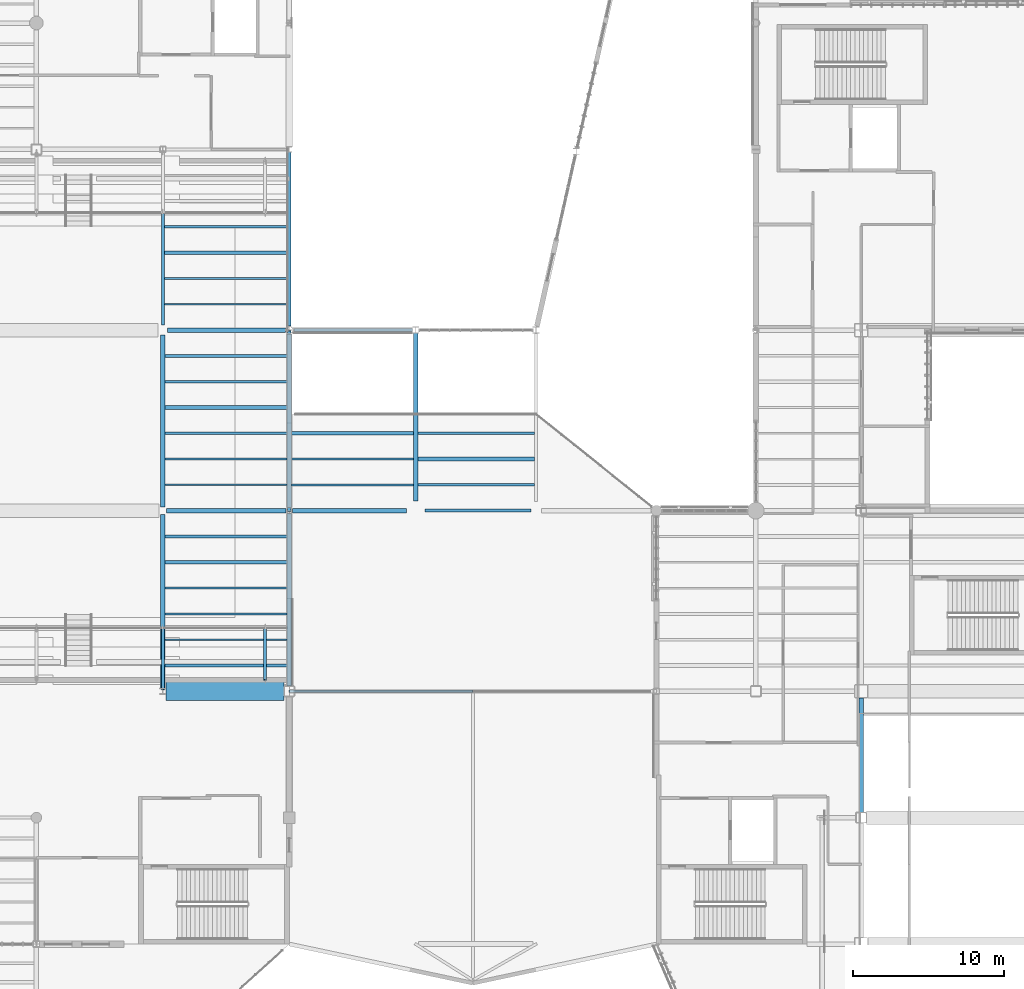
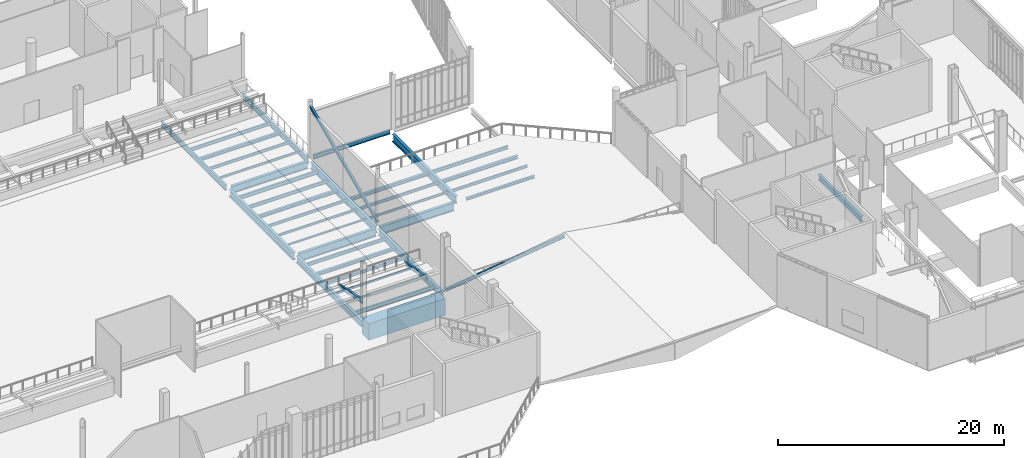
# One storey, part 21 of 135: 36 beams, 4 members.
"""IFC4 building model written with IfcOpenShell, lengths in metres."""

from ifc_helpers import new_model, si_unit, direction, frame, origin, origin_2d, place, context, subcontext, project, spatial, rectangle, hollow_rectangle, i_section, extrude, material, material_profile, profile_set, type_object, element, save


model = new_model("IFC4")

# Units and contexts
model_context = context("Model", 3, precision=1e-05, world=origin(), true_north=direction((0.0, 1.0)))
body_context = subcontext(model_context, "Body", "Model", "MODEL_VIEW")
ifc_project = project(units=[si_unit("LENGTHUNIT", "METRE"), si_unit("AREAUNIT", "SQUARE_METRE"), si_unit("VOLUMEUNIT", "CUBIC_METRE"), si_unit("PLANEANGLEUNIT", "RADIAN"), si_unit("MASSUNIT", "GRAM", prefix="KILO")], contexts=[model_context])

# Site, building, storey
site_placement = place(None, origin())
site = spatial("IfcSite", under=ifc_project, at=site_placement, CompositionType="ELEMENT")
building_placement = place(site_placement, origin())
building = spatial("IfcBuilding", under=site, at=building_placement, Name="Larkvane Passage Sports Hall", CompositionType="ELEMENT")
storey_placement = place(building_placement, frame((0.0, 0.0, 10.800048828125)))
storey = spatial("IfcBuildingStorey", under=building, at=storey_placement, Name="L02", CompositionType="ELEMENT", Elevation=10.800048828125)

# Beams
ifc_material_1 = material(Name="Steel S355JR", Category="steel")
ifc_material_profile_1 = material_profile(ifc_material_1, i_section(OverallWidth=0.199951171875, OverallDepth=0.2939453125, WebThickness=0.008056640625, FlangeThickness=0.011962890625, FilletRadius=0.012939453125, at=origin_2d()), Name="H-294x200x8x12")
ifc_profile_set_1 = profile_set([ifc_material_profile_1], Name="Steel S355JR")
beam_type_1 = type_object("IfcBeamType", Name="BM-STL-H294", PredefinedType="BEAM", material=ifc_profile_set_1)
beam_1_placement = place(storey_placement, frame((102.625, 51.60009765625, -0.567138671875), z_axis=(1.0, 0.0, 0.0), x_axis=(0.0, 1.0, 0.0)))
element("IfcBeam", 1, at=beam_1_placement, inside=storey, type_object=beam_type_1, Name="Girder BM5-X-L02-G-0703", PredefinedType="BEAM", context=body_context, shape_type="SweptSolid", body=[
    extrude(i_section(OverallWidth=0.199951171875, OverallDepth=0.2939453125, WebThickness=0.008056640625, FlangeThickness=0.011962890625, FilletRadius=0.012939453125, at=origin_2d()), origin(), (0.0, 0.0, 1.0), 7.02490234375),
])
ifc_material_2 = material(Name="Steel S460N", Category="steel")
ifc_material_profile_2 = material_profile(ifc_material_2, i_section(OverallWidth=0.300048828125, OverallDepth=0.587890625, WebThickness=0.011962890625, FlangeThickness=0.02001953125, FilletRadius=0.02197265625, at=origin_2d()), Name="H-588x300x12x20")
ifc_profile_set_2 = profile_set([ifc_material_profile_2], Name="Steel S460N")
beam_type_2 = type_object("IfcBeamType", Name="BM-STL-H588", PredefinedType="BEAM", material=ifc_profile_set_2)
beam_2_placement = place(storey_placement, frame((131.60009765625, 31.550048828125, -0.714111328125), z_axis=(0.0, 1.0, 0.0), x_axis=(-1.0, 0.0, 0.0)))
element("IfcBeam", 2, at=beam_2_placement, inside=storey, type_object=beam_type_2, Name="Girder BM5-Y-L02-18-0786", PredefinedType="BEAM", context=body_context, shape_type="SweptSolid", body=[
    extrude(i_section(OverallWidth=0.300048828125, OverallDepth=0.587890625, WebThickness=0.011962890625, FlangeThickness=0.02001953125, FilletRadius=0.02197265625, at=origin_2d()), origin(), (0.0, 0.0, 1.0), 7.599853515625),
])
ifc_material_profile_3 = material_profile(ifc_material_1, i_section(OverallWidth=0.199951171875, OverallDepth=0.60009765625, WebThickness=0.010986328125, FlangeThickness=0.01708984375, FilletRadius=0.01806640625, at=origin_2d()), Name="H-600x200x11x17")
ifc_profile_set_3 = profile_set([ifc_material_profile_3], Name="Steel S355JR")
beam_type_3 = type_object("IfcBeamType", Name="BM-STL-H600", PredefinedType="BEAM", material=ifc_profile_set_3)
beam_3_placement = place(storey_placement, frame((85.199951171875, 63.925048828125, -0.719970703125), z_axis=(0.0, 1.0, 0.0), x_axis=(-1.0, 0.0, 0.0)))
element("IfcBeam", 3, at=beam_3_placement, inside=storey, type_object=beam_type_3, Name="Girder BM5-Y-L02-12-0769", PredefinedType="BEAM", context=body_context, shape_type="SweptSolid", body=[
    extrude(i_section(OverallWidth=0.199951171875, OverallDepth=0.60009765625, WebThickness=0.010986328125, FlangeThickness=0.01708984375, FilletRadius=0.01806640625, at=origin_2d()), origin(), (0.0, 0.0, 1.0), 11.474853515625),
])
beam_4_placement = place(storey_placement, frame((93.60009765625, 63.85400390625, -0.719970703125), z_axis=(0.0, 1.0, 0.0), x_axis=(-1.0, 0.0, 0.0)))
element("IfcBeam", 4, at=beam_4_placement, inside=storey, type_object=beam_type_3, Name="Girder BM5-Y-L02-13-0773", PredefinedType="BEAM", context=body_context, shape_type="SweptSolid", body=[
    extrude(i_section(OverallWidth=0.199951171875, OverallDepth=0.60009765625, WebThickness=0.010986328125, FlangeThickness=0.01708984375, FilletRadius=0.01806640625, at=origin_2d()), origin(), (0.0, 0.0, 1.0), 11.571044921875),
])
ifc_material_profile_4 = material_profile(ifc_material_2, i_section(OverallWidth=0.300048828125, OverallDepth=0.699951171875, WebThickness=0.012939453125, FlangeThickness=0.02392578125, FilletRadius=0.02197265625, at=origin_2d()), Name="H-700x300x13x24")
ifc_profile_set_4 = profile_set([ifc_material_profile_4], Name="Steel S460N")
beam_type_4 = type_object("IfcBeamType", Name="BM-STL-H700", PredefinedType="BEAM", material=ifc_profile_set_4)
beam_5_placement = place(storey_placement, frame((85.199951171875, 39.806884765625, -0.77001953125), z_axis=(0.0, 1.0, 0.0), x_axis=(-1.0, 0.0, 0.0)))
element("IfcBeam", 5, at=beam_5_placement, inside=storey, type_object=beam_type_4, Name="Girder BM5-Y-L02-12-0767", PredefinedType="BEAM", context=body_context, shape_type="SweptSolid", body=[
    extrude(i_section(OverallWidth=0.300048828125, OverallDepth=0.699951171875, WebThickness=0.012939453125, FlangeThickness=0.02392578125, FilletRadius=0.02197265625, at=origin_2d()), origin(), (0.0, 0.0, 1.0), 11.543212890625),
])
beam_6_placement = place(storey_placement, frame((93.60009765625, 39.949951171875, -0.77001953125), z_axis=(0.0, 1.0, 0.0), x_axis=(-1.0, 0.0, 0.0)))
element("IfcBeam", 6, at=beam_6_placement, inside=storey, type_object=beam_type_4, Name="Girder BM5-Y-L02-13-0771", PredefinedType="BEAM", context=body_context, shape_type="SweptSolid", body=[
    extrude(i_section(OverallWidth=0.300048828125, OverallDepth=0.699951171875, WebThickness=0.012939453125, FlangeThickness=0.02392578125, FilletRadius=0.02197265625, at=origin_2d()), origin(), (0.0, 0.0, 1.0), 11.44677734375),
])
ifc_material_profile_5 = material_profile(ifc_material_2, i_section(OverallWidth=0.300048828125, OverallDepth=0.7919921875, WebThickness=0.013916015625, FlangeThickness=0.02197265625, FilletRadius=0.02197265625, at=origin_2d()), Name="H-792x300x14x22")
ifc_profile_set_5 = profile_set([ifc_material_profile_5], Name="Steel S460N")
beam_type_5 = type_object("IfcBeamType", Name="BM-STL-H792", PredefinedType="BEAM", material=ifc_profile_set_5)
beam_7_placement = place(storey_placement, frame((85.199951171875, 51.85009765625, -0.816162109375), z_axis=(0.0, 1.0, 0.0), x_axis=(-1.0, 0.0, 0.0)))
element("IfcBeam", 7, at=beam_7_placement, inside=storey, type_object=beam_type_5, Name="Girder BM5-Y-L02-12-0768", PredefinedType="BEAM", context=body_context, shape_type="SweptSolid", body=[
    extrude(i_section(OverallWidth=0.300048828125, OverallDepth=0.7919921875, WebThickness=0.013916015625, FlangeThickness=0.02197265625, FilletRadius=0.02197265625, at=origin_2d()), origin(), (0.0, 0.0, 1.0), 11.4248046875),
])
beam_8_placement = place(storey_placement, frame((93.60009765625, 51.80322265625, -0.816162109375), z_axis=(0.0, 1.0, 0.0), x_axis=(-1.0, 0.0, 0.0)))
element("IfcBeam", 8, at=beam_8_placement, inside=storey, type_object=beam_type_5, Name="Girder BM5-Y-L02-13-0772", PredefinedType="BEAM", context=body_context, shape_type="SweptSolid", body=[
    extrude(i_section(OverallWidth=0.300048828125, OverallDepth=0.7919921875, WebThickness=0.013916015625, FlangeThickness=0.02197265625, FilletRadius=0.02197265625, at=origin_2d()), origin(), (0.0, 0.0, 1.0), 11.542724609375),
])
beam_9_placement = place(storey_placement, frame((102.0, 52.22509765625, -0.816162109375), z_axis=(0.0, 1.0, 0.0), x_axis=(-1.0, 0.0, 0.0)))
element("IfcBeam", 9, at=beam_9_placement, inside=storey, type_object=beam_type_5, Name="Girder BM5-Y-L02-14-0776", PredefinedType="BEAM", context=body_context, shape_type="SweptSolid", body=[
    extrude(i_section(OverallWidth=0.300048828125, OverallDepth=0.7919921875, WebThickness=0.013916015625, FlangeThickness=0.02197265625, FilletRadius=0.02197265625, at=origin_2d()), origin(), (0.0, 0.0, 1.0), 11.16796875),
])
ifc_material_profile_6 = material_profile(ifc_material_2, i_section(OverallWidth=0.300048828125, OverallDepth=0.800048828125, WebThickness=0.013916015625, FlangeThickness=0.02587890625, FilletRadius=0.02197265625, at=origin_2d()), Name="H-800x300x14x26")
ifc_profile_set_6 = profile_set([ifc_material_profile_6], Name="Steel S460N")
beam_type_6 = type_object("IfcBeamType", Name="BM-STL-H800", PredefinedType="BEAM", material=ifc_profile_set_6)
beam_10_placement = place(storey_placement, frame((85.52490234375, 63.60009765625, -0.820068359375), z_axis=(1.0, 0.0, 0.0), x_axis=(0.0, 1.0, 0.0)))
element("IfcBeam", 10, at=beam_10_placement, inside=storey, type_object=beam_type_6, Name="Girder BM5-X-L02-H-0713", PredefinedType="BEAM", context=body_context, shape_type="SweptSolid", body=[
    extrude(i_section(OverallWidth=0.300048828125, OverallDepth=0.800048828125, WebThickness=0.013916015625, FlangeThickness=0.02587890625, FilletRadius=0.02197265625, at=origin_2d()), origin(), (0.0, 0.0, 1.0), 7.821044921875),
])
ifc_material_profile_7 = material_profile(ifc_material_2, i_section(OverallWidth=0.299072265625, OverallDepth=0.889892578125, WebThickness=0.014892578125, FlangeThickness=0.02294921875, FilletRadius=0.02197265625, at=origin_2d()), Name="H-890x299x15x23")
ifc_profile_set_7 = profile_set([ifc_material_profile_7], Name="Steel S460N")
beam_type_7 = type_object("IfcBeamType", Name="BM-STL-H890", PredefinedType="BEAM", material=ifc_profile_set_7)
beam_11_placement = place(storey_placement, frame((85.449951171875, 51.60009765625, -0.864990234375), z_axis=(1.0, 0.0, 0.0), x_axis=(0.0, 1.0, 0.0)))
element("IfcBeam", 11, at=beam_11_placement, inside=storey, type_object=beam_type_7, Name="Girder BM5-X-L02-G-0701", PredefinedType="BEAM", context=body_context, shape_type="SweptSolid", body=[
    extrude(i_section(OverallWidth=0.299072265625, OverallDepth=0.889892578125, WebThickness=0.014892578125, FlangeThickness=0.02294921875, FilletRadius=0.02197265625, at=origin_2d()), origin(), (0.0, 0.0, 1.0), 7.94677734375),
])
ifc_material_profile_8 = material_profile(ifc_material_2, i_section(OverallWidth=0.300048828125, OverallDepth=0.89990234375, WebThickness=0.01611328125, FlangeThickness=0.028076171875, FilletRadius=0.02197265625, at=origin_2d()), Name="H-900x300x16x28")
ifc_profile_set_8 = profile_set([ifc_material_profile_8], Name="Steel S460N")
beam_type_8 = type_object("IfcBeamType", Name="BM-STL-H900", PredefinedType="BEAM", material=ifc_profile_set_8)
beam_12_placement = place(storey_placement, frame((93.80322265625, 51.60009765625, -0.8701171875), z_axis=(1.0, 0.0, 0.0), x_axis=(0.0, 1.0, 0.0)))
element("IfcBeam", 12, at=beam_12_placement, inside=storey, type_object=beam_type_8, Name="Girder BM5-X-L02-G-0702", PredefinedType="BEAM", context=body_context, shape_type="SweptSolid", body=[
    extrude(i_section(OverallWidth=0.300048828125, OverallDepth=0.89990234375, WebThickness=0.01611328125, FlangeThickness=0.028076171875, FilletRadius=0.02197265625, at=origin_2d()), origin(), (0.0, 0.0, 1.0), 7.57177734375),
])
ifc_material_profile_9 = material_profile(ifc_material_1, i_section(OverallWidth=0.10009765625, OverallDepth=0.199951171875, WebThickness=0.005615234375, FlangeThickness=0.008056640625, FilletRadius=0.008056640625, at=origin_2d()), Name="H-200x100x5.5x8")
ifc_profile_set_9 = profile_set([ifc_material_profile_9], Name="Steel S355JR")
beam_type_9 = type_object("IfcBeamType", Name="JST-STL-H200", PredefinedType="JOIST", material=ifc_profile_set_9)
for number, where, z_axis, x_axis, name in (
    (13, (85.35009765625, 43.028564453125, -0.52001953125), (1.0, 0.0, 0.0), (0.0, 1.0, 0.0), "Composite joist L02 12/F-2"),
    (14, (85.35009765625, 53.314208984375, -0.52001953125), (1.0, 0.0, 0.0), (0.0, 1.0, 0.0), "Composite joist L02 12/G-1"),
):
    element("IfcBeam", number, at=place(storey_placement, frame(where, z_axis=z_axis, x_axis=x_axis)), inside=storey, type_object=beam_type_9, Name=name, PredefinedType="JOIST", context=body_context, shape_type="SweptSolid", body=[
        extrude(i_section(OverallWidth=0.10009765625, OverallDepth=0.199951171875, WebThickness=0.005615234375, FlangeThickness=0.008056640625, FilletRadius=0.008056640625, at=origin_2d()), origin(), (0.0, 0.0, 1.0), 8.099853515625),
    ])
ifc_material_profile_10 = material_profile(ifc_material_1, i_section(OverallWidth=0.125, OverallDepth=0.25, WebThickness=0.006103515625, FlangeThickness=0.009033203125, FilletRadius=0.008056640625, at=origin_2d()), Name="H-250x125x6x9")
ifc_profile_set_10 = profile_set([ifc_material_profile_10], Name="Steel S355JR")
beam_type_10 = type_object("IfcBeamType", Name="JST-STL-H250", PredefinedType="JOIST", material=ifc_profile_set_10)
for number, where, z_axis, x_axis, name in (
    (15, (85.35009765625, 44.742919921875, -0.545166015625), (1.0, 0.0, 0.0), (0.0, 1.0, 0.0), "Composite joist L02 12/F-3"),
    (16, (85.35009765625, 55.028564453125, -0.545166015625), (1.0, 0.0, 0.0), (0.0, 1.0, 0.0), "Composite joist L02 12/G-2"),
):
    element("IfcBeam", number, at=place(storey_placement, frame(where, z_axis=z_axis, x_axis=x_axis)), inside=storey, type_object=beam_type_10, Name=name, PredefinedType="JOIST", context=body_context, shape_type="SweptSolid", body=[
        extrude(i_section(OverallWidth=0.125, OverallDepth=0.25, WebThickness=0.006103515625, FlangeThickness=0.009033203125, FilletRadius=0.008056640625, at=origin_2d()), origin(), (0.0, 0.0, 1.0), 8.099853515625),
    ])
beam_13_placement = place(storey_placement, frame((85.300048828125, 65.314208984375, -0.545166015625), z_axis=(1.0, 0.0, 0.0), x_axis=(0.0, 1.0, 0.0)))
element("IfcBeam", 17, at=beam_13_placement, inside=storey, type_object=beam_type_10, Name="Composite joist L02 12/H-1", PredefinedType="JOIST", context=body_context, shape_type="SweptSolid", body=[
    extrude(i_section(OverallWidth=0.125, OverallDepth=0.25, WebThickness=0.006103515625, FlangeThickness=0.009033203125, FilletRadius=0.008056640625, at=origin_2d()), origin(), (0.0, 0.0, 1.0), 8.199951171875),
])
beam_14_placement = place(storey_placement, frame((93.75, 53.314208984375, -0.545166015625), z_axis=(1.0, 0.0, 0.0), x_axis=(0.0, 1.0, 0.0)))
element("IfcBeam", 18, at=beam_14_placement, inside=storey, type_object=beam_type_10, Name="Composite joist L02 13/G-1", PredefinedType="JOIST", context=body_context, shape_type="SweptSolid", body=[
    extrude(i_section(OverallWidth=0.125, OverallDepth=0.25, WebThickness=0.006103515625, FlangeThickness=0.009033203125, FilletRadius=0.008056640625, at=origin_2d()), origin(), (0.0, 0.0, 1.0), 8.10009765625),
])
ifc_material_profile_11 = material_profile(ifc_material_1, i_section(OverallWidth=0.14990234375, OverallDepth=0.300048828125, WebThickness=0.006591796875, FlangeThickness=0.009033203125, FilletRadius=0.012939453125, at=origin_2d()), Name="H-300x150x6.5x9")
ifc_profile_set_11 = profile_set([ifc_material_profile_11], Name="Steel S355JR")
beam_type_11 = type_object("IfcBeamType", Name="JST-STL-H300", PredefinedType="JOIST", material=ifc_profile_set_11)
for number, where, z_axis, x_axis, name in (
    (19, (85.35009765625, 46.45703125, -0.570068359375), (1.0, 0.0, 0.0), (0.0, 1.0, 0.0), "Composite joist L02 12/F-4"),
    (20, (85.35009765625, 56.742919921875, -0.570068359375), (1.0, 0.0, 0.0), (0.0, 1.0, 0.0), "Composite joist L02 12/G-3"),
):
    element("IfcBeam", number, at=place(storey_placement, frame(where, z_axis=z_axis, x_axis=x_axis)), inside=storey, type_object=beam_type_11, Name=name, PredefinedType="JOIST", context=body_context, shape_type="SweptSolid", body=[
        extrude(i_section(OverallWidth=0.14990234375, OverallDepth=0.300048828125, WebThickness=0.006591796875, FlangeThickness=0.009033203125, FilletRadius=0.012939453125, at=origin_2d()), origin(), (0.0, 0.0, 1.0), 8.099853515625),
    ])
beam_15_placement = place(storey_placement, frame((85.300048828125, 67.028564453125, -0.570068359375), z_axis=(1.0, 0.0, 0.0), x_axis=(0.0, 1.0, 0.0)))
element("IfcBeam", 21, at=beam_15_placement, inside=storey, type_object=beam_type_11, Name="Composite joist L02 12/H-2", PredefinedType="JOIST", context=body_context, shape_type="SweptSolid", body=[
    extrude(i_section(OverallWidth=0.14990234375, OverallDepth=0.300048828125, WebThickness=0.006591796875, FlangeThickness=0.009033203125, FilletRadius=0.012939453125, at=origin_2d()), origin(), (0.0, 0.0, 1.0), 8.199951171875),
])
beam_16_placement = place(storey_placement, frame((93.75, 55.028564453125, -0.570068359375), z_axis=(1.0, 0.0, 0.0), x_axis=(0.0, 1.0, 0.0)))
element("IfcBeam", 22, at=beam_16_placement, inside=storey, type_object=beam_type_11, Name="Composite joist L02 13/G-2", PredefinedType="JOIST", context=body_context, shape_type="SweptSolid", body=[
    extrude(i_section(OverallWidth=0.14990234375, OverallDepth=0.300048828125, WebThickness=0.006591796875, FlangeThickness=0.009033203125, FilletRadius=0.012939453125, at=origin_2d()), origin(), (0.0, 0.0, 1.0), 8.10009765625),
])
beam_17_placement = place(storey_placement, frame((102.14990234375, 53.314208984375, -0.570068359375), z_axis=(1.0, 0.0, 0.0), x_axis=(0.0, 1.0, 0.0)))
element("IfcBeam", 23, at=beam_17_placement, inside=storey, type_object=beam_type_11, Name="Composite joist L02 14/G-1", PredefinedType="JOIST", context=body_context, shape_type="SweptSolid", body=[
    extrude(i_section(OverallWidth=0.14990234375, OverallDepth=0.300048828125, WebThickness=0.006591796875, FlangeThickness=0.009033203125, FilletRadius=0.012939453125, at=origin_2d()), origin(), (0.0, 0.0, 1.0), 7.75),
])
ifc_material_profile_12 = material_profile(ifc_material_1, i_section(OverallWidth=0.25, OverallDepth=0.340087890625, WebThickness=0.009033203125, FlangeThickness=0.013916015625, FilletRadius=0.012939453125, at=origin_2d()), Name="H-340x250x9x14")
ifc_profile_set_12 = profile_set([ifc_material_profile_12], Name="Steel S355JR")
beam_type_12 = type_object("IfcBeamType", Name="JST-STL-H340", PredefinedType="JOIST", material=ifc_profile_set_12)
for number, where, z_axis, x_axis, name in (
    (24, (85.35009765625, 48.17138671875, -0.590087890625), (1.0, 0.0, 0.0), (0.0, 1.0, 0.0), "Composite joist L02 12/F-5"),
    (25, (85.35009765625, 58.45703125, -0.590087890625), (1.0, 0.0, 0.0), (0.0, 1.0, 0.0), "Composite joist L02 12/G-4"),
):
    element("IfcBeam", number, at=place(storey_placement, frame(where, z_axis=z_axis, x_axis=x_axis)), inside=storey, type_object=beam_type_12, Name=name, PredefinedType="JOIST", context=body_context, shape_type="SweptSolid", body=[
        extrude(i_section(OverallWidth=0.25, OverallDepth=0.340087890625, WebThickness=0.009033203125, FlangeThickness=0.013916015625, FilletRadius=0.012939453125, at=origin_2d()), origin(), (0.0, 0.0, 1.0), 8.099853515625),
    ])
beam_18_placement = place(storey_placement, frame((85.300048828125, 68.742919921875, -0.590087890625), z_axis=(1.0, 0.0, 0.0), x_axis=(0.0, 1.0, 0.0)))
element("IfcBeam", 26, at=beam_18_placement, inside=storey, type_object=beam_type_12, Name="Composite joist L02 12/H-3", PredefinedType="JOIST", context=body_context, shape_type="SweptSolid", body=[
    extrude(i_section(OverallWidth=0.25, OverallDepth=0.340087890625, WebThickness=0.009033203125, FlangeThickness=0.013916015625, FilletRadius=0.012939453125, at=origin_2d()), origin(), (0.0, 0.0, 1.0), 8.199951171875),
])
beam_19_placement = place(storey_placement, frame((93.75, 56.742919921875, -0.590087890625), z_axis=(1.0, 0.0, 0.0), x_axis=(0.0, 1.0, 0.0)))
element("IfcBeam", 27, at=beam_19_placement, inside=storey, type_object=beam_type_12, Name="Composite joist L02 13/G-3", PredefinedType="JOIST", context=body_context, shape_type="SweptSolid", body=[
    extrude(i_section(OverallWidth=0.25, OverallDepth=0.340087890625, WebThickness=0.009033203125, FlangeThickness=0.013916015625, FilletRadius=0.012939453125, at=origin_2d()), origin(), (0.0, 0.0, 1.0), 8.10009765625),
])
beam_20_placement = place(storey_placement, frame((102.14990234375, 55.028564453125, -0.590087890625), z_axis=(1.0, 0.0, 0.0), x_axis=(0.0, 1.0, 0.0)))
element("IfcBeam", 28, at=beam_20_placement, inside=storey, type_object=beam_type_12, Name="Composite joist L02 14/G-2", PredefinedType="JOIST", context=body_context, shape_type="SweptSolid", body=[
    extrude(i_section(OverallWidth=0.25, OverallDepth=0.340087890625, WebThickness=0.009033203125, FlangeThickness=0.013916015625, FilletRadius=0.012939453125, at=origin_2d()), origin(), (0.0, 0.0, 1.0), 7.75),
])
ifc_material_profile_13 = material_profile(ifc_material_1, i_section(OverallWidth=0.175048828125, OverallDepth=0.35009765625, WebThickness=0.007080078125, FlangeThickness=0.010986328125, FilletRadius=0.012939453125, at=origin_2d()), Name="H-350x175x7x11")
ifc_profile_set_13 = profile_set([ifc_material_profile_13], Name="Steel S355JR")
beam_type_13 = type_object("IfcBeamType", Name="JST-STL-H350", PredefinedType="JOIST", material=ifc_profile_set_13)
for number, where, z_axis, x_axis, name in (
    (29, (85.35009765625, 49.8857421875, -0.594970703125), (1.0, 0.0, 0.0), (0.0, 1.0, 0.0), "Composite joist L02 12/F-6"),
    (30, (85.35009765625, 60.17138671875, -0.594970703125), (1.0, 0.0, 0.0), (0.0, 1.0, 0.0), "Composite joist L02 12/G-5"),
):
    element("IfcBeam", number, at=place(storey_placement, frame(where, z_axis=z_axis, x_axis=x_axis)), inside=storey, type_object=beam_type_13, Name=name, PredefinedType="JOIST", context=body_context, shape_type="SweptSolid", body=[
        extrude(i_section(OverallWidth=0.175048828125, OverallDepth=0.35009765625, WebThickness=0.007080078125, FlangeThickness=0.010986328125, FilletRadius=0.012939453125, at=origin_2d()), origin(), (0.0, 0.0, 1.0), 8.099853515625),
    ])
beam_21_placement = place(storey_placement, frame((85.300048828125, 70.45703125, -0.594970703125), z_axis=(1.0, 0.0, 0.0), x_axis=(0.0, 1.0, 0.0)))
element("IfcBeam", 31, at=beam_21_placement, inside=storey, type_object=beam_type_13, Name="Composite joist L02 12/H-4", PredefinedType="JOIST", context=body_context, shape_type="SweptSolid", body=[
    extrude(i_section(OverallWidth=0.175048828125, OverallDepth=0.35009765625, WebThickness=0.007080078125, FlangeThickness=0.010986328125, FilletRadius=0.012939453125, at=origin_2d()), origin(), (0.0, 0.0, 1.0), 8.199951171875),
])
beam_22_placement = place(storey_placement, frame((102.14990234375, 56.742919921875, -0.594970703125), z_axis=(1.0, 0.0, 0.0), x_axis=(0.0, 1.0, 0.0)))
element("IfcBeam", 32, at=beam_22_placement, inside=storey, type_object=beam_type_13, Name="Composite joist L02 14/G-3", PredefinedType="JOIST", context=body_context, shape_type="SweptSolid", body=[
    extrude(i_section(OverallWidth=0.175048828125, OverallDepth=0.35009765625, WebThickness=0.007080078125, FlangeThickness=0.010986328125, FilletRadius=0.012939453125, at=origin_2d()), origin(), (0.0, 0.0, 1.0), 7.75),
])
ifc_material_profile_14 = material_profile(ifc_material_1, i_section(OverallWidth=0.199951171875, OverallDepth=0.39990234375, WebThickness=0.008056640625, FlangeThickness=0.012939453125, FilletRadius=0.012939453125, at=origin_2d()), Name="H-400x200x8x13")
ifc_profile_set_14 = profile_set([ifc_material_profile_14], Name="Steel S355JR")
beam_type_14 = type_object("IfcBeamType", Name="JST-STL-H400", PredefinedType="JOIST", material=ifc_profile_set_14)
for number, where, z_axis, x_axis, name in (
    (33, (85.35009765625, 41.314208984375, -0.6201171875), (1.0, 0.0, 0.0), (0.0, 1.0, 0.0), "Composite joist L02 12/F-1"),
    (34, (85.35009765625, 61.8857421875, -0.6201171875), (1.0, 0.0, 0.0), (0.0, 1.0, 0.0), "Composite joist L02 12/G-6"),
):
    element("IfcBeam", number, at=place(storey_placement, frame(where, z_axis=z_axis, x_axis=x_axis)), inside=storey, type_object=beam_type_14, Name=name, PredefinedType="JOIST", context=body_context, shape_type="SweptSolid", body=[
        extrude(i_section(OverallWidth=0.199951171875, OverallDepth=0.39990234375, WebThickness=0.008056640625, FlangeThickness=0.012939453125, FilletRadius=0.012939453125, at=origin_2d()), origin(), (0.0, 0.0, 1.0), 8.099853515625),
    ])

# Members
ifc_material_profile_15 = material_profile(ifc_material_2, hollow_rectangle(XDim=0.25, YDim=0.25, WallThickness=0.011962890625, InnerFilletRadius=0.011962890625, OuterFilletRadius=0.02392578125, at=origin_2d()), Name="SHS-250x250x12")
ifc_profile_set_15 = profile_set([ifc_material_profile_15], Name="Steel S460N")
member_type_1 = type_object("IfcMemberType", Name="MBR-BR-SHS250", PredefinedType="BRACE", material=ifc_profile_set_15)
member_1_placement = place(storey_placement, frame((93.60009765625, 51.60009765625, 0.14990234375), z_axis=(0.0, 0.914750753002, 0.404018638039), x_axis=(-1.0, 0.0, 0.0)))
element("IfcMember", 35, at=member_1_placement, inside=storey, type_object=member_type_1, Name="Lateral frame brace L02-3", PredefinedType="BRACE", context=body_context, shape_type="SweptSolid", body=[
    extrude(hollow_rectangle(XDim=0.25, YDim=0.25, WallThickness=0.011962890625, InnerFilletRadius=0.011962890625, OuterFilletRadius=0.02392578125, at=origin_2d()), origin(), (0.0, 0.0, 1.0), 13.118408203125),
])
ifc_material_profile_16 = material_profile(ifc_material_1, i_section(OverallWidth=0.175048828125, OverallDepth=0.35009765625, WebThickness=0.007080078125, FlangeThickness=0.010986328125, FilletRadius=0.012939453125, at=origin_2d()), Name="H-350x175x7x11")
ifc_profile_set_16 = profile_set([ifc_material_profile_16], Name="Steel S355JR")
member_type_2 = type_object("IfcMemberType", Name="MBR-RF-H350", PredefinedType="RAFTER", material=ifc_profile_set_16)
member_2_placement = place(storey_placement, frame((93.60009765625, 39.60009765625, 0.02001953125), z_axis=(0.991510998354, 0.0, 0.130022844694), x_axis=(0.0, 1.0, 0.0)))
element("IfcMember", 36, at=member_2_placement, inside=storey, type_object=member_type_2, Name="Entrance foyer canopy portal rafter 1", PredefinedType="RAFTER", context=body_context, shape_type="SweptSolid", body=[
    extrude(i_section(OverallWidth=0.175048828125, OverallDepth=0.35009765625, WebThickness=0.007080078125, FlangeThickness=0.010986328125, FilletRadius=0.012939453125, at=origin_2d()), origin(), (0.0, 0.0, 1.0), 12.304443359375),
])
ifc_material_profile_17 = material_profile(ifc_material_1, i_section(OverallWidth=0.199951171875, OverallDepth=0.39990234375, WebThickness=0.008056640625, FlangeThickness=0.012939453125, FilletRadius=0.012939453125, at=origin_2d()), Name="H-400x200x8x13")
ifc_profile_set_17 = profile_set([ifc_material_profile_17], Name="Steel S355JR")
member_type_3 = type_object("IfcMemberType", Name="MBR-RF-H400", PredefinedType="RAFTER", material=ifc_profile_set_17)
member_3_placement = place(storey_placement, frame((85.199951171875, 43.800048828125, 0.849853515625), z_axis=(0.0, -0.980048746294, 0.198757276314), x_axis=(1.0, 0.0, 0.0)))
element("IfcMember", 37, at=member_3_placement, inside=storey, type_object=member_type_3, Name="Arena stand raker S7", PredefinedType="RAFTER", context=body_context, shape_type="SweptSolid", body=[
    extrude(i_section(OverallWidth=0.199951171875, OverallDepth=0.39990234375, WebThickness=0.008056640625, FlangeThickness=0.012939453125, FilletRadius=0.012939453125, at=origin_2d()), origin(), (0.0, 0.0, 1.0), 4.17626953125),
])
member_4_placement = place(storey_placement, frame((92.0, 43.800048828125, 0.849853515625), z_axis=(0.0, -0.980019226989, 0.198902777086), x_axis=(1.0, 0.0, 0.0)))
element("IfcMember", 38, at=member_4_placement, inside=storey, type_object=member_type_3, Name="Arena stand raker S8", PredefinedType="RAFTER", context=body_context, shape_type="SweptSolid", body=[
    extrude(i_section(OverallWidth=0.199951171875, OverallDepth=0.39990234375, WebThickness=0.008056640625, FlangeThickness=0.012939453125, FilletRadius=0.012939453125, at=origin_2d()), origin(), (0.0, 0.0, 1.0), 3.520263671875),
])

# Beams
ifc_material_3 = material(Name="Concrete C50/60", Category="concrete")
ifc_material_profile_18 = material_profile(ifc_material_3, rectangle(XDim=1.199951171875, YDim=1.800048828125, at=origin_2d()), Name="PT-GIR-1200x1800")
ifc_profile_set_18 = profile_set([ifc_material_profile_18], Name="Concrete C50/60")
beam_type_15 = type_object("IfcBeamType", Name="PTG-1200x1800", PredefinedType="BEAM", material=ifc_profile_set_18)
beam_23_placement = place(storey_placement, frame((85.402587890625, 39.60009765625, -1.320068359375), z_axis=(1.0, 0.0, 0.0), x_axis=(0.0, 1.0, 0.0)))
element("IfcBeam", 39, at=beam_23_placement, inside=storey, type_object=beam_type_15, Name="Post-tensioned transfer girder BM5-X-L02-F-0692", PredefinedType="BEAM", context=body_context, shape_type="SweptSolid", body=[
    extrude(rectangle(XDim=1.199951171875, YDim=1.800048828125, at=origin_2d()), origin(), (0.0, 0.0, 1.0), 7.847412109375),
])
ifc_material_profile_19 = material_profile(ifc_material_1, i_section(OverallWidth=0.199951171875, OverallDepth=0.449951171875, WebThickness=0.009033203125, FlangeThickness=0.013916015625, FilletRadius=0.01806640625, at=origin_2d()), Name="H-450x200x9x14")
ifc_profile_set_19 = profile_set([ifc_material_profile_19], Name="Steel S355JR")
beam_type_16 = type_object("IfcBeamType", Name="SP-STL-H450", PredefinedType="SPANDREL", material=ifc_profile_set_19)
beam_24_placement = place(storey_placement, frame((93.919921875, 63.60009765625, -0.22509765625), z_axis=(1.0, 0.0, 0.0), x_axis=(0.0, 1.0, 0.0)))
element("IfcBeam", 40, at=beam_24_placement, inside=storey, type_object=beam_type_16, Name="Climbing hall L02 spandrel beam BM5-V3-SP-H1", PredefinedType="SPANDREL", context=body_context, shape_type="SweptSolid", body=[
    extrude(i_section(OverallWidth=0.199951171875, OverallDepth=0.449951171875, WebThickness=0.009033203125, FlangeThickness=0.013916015625, FilletRadius=0.01806640625, at=origin_2d()), origin(), (0.0, 0.0, 1.0), 7.8701171875),
])

save(model, "model.ifc")
